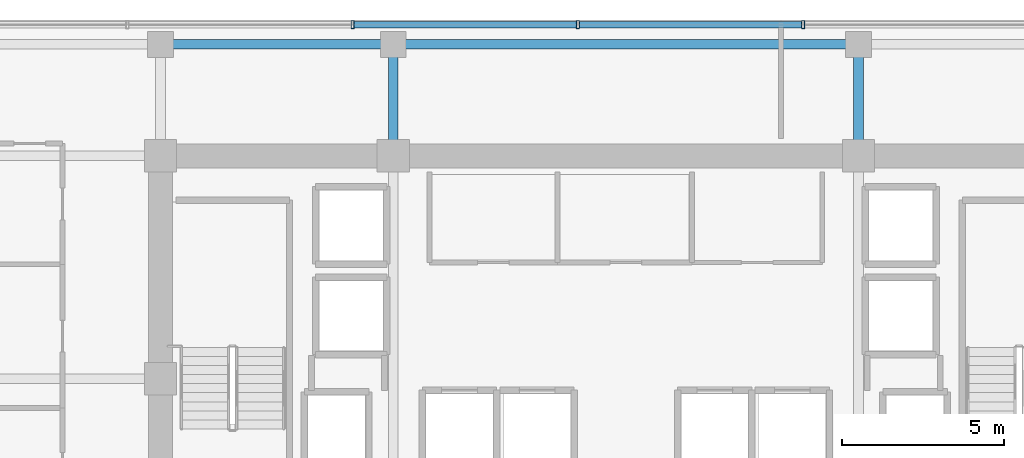
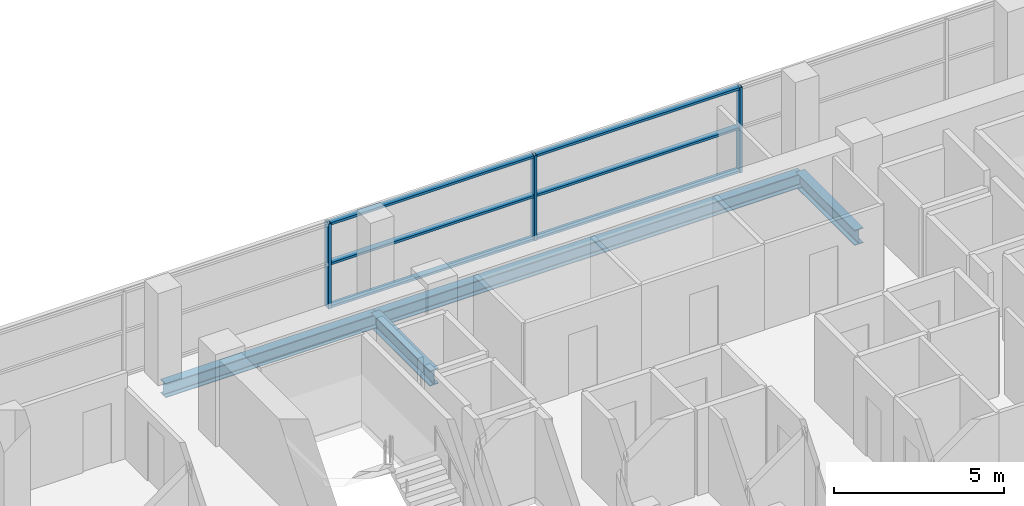
# One storey, part 13 of 24: 9 members, 4 beams, 1 element without a shape of its own.
"""IFC4 building model written with IfcOpenShell, lengths in metres."""

import ifcopenshell
import ifcopenshell.guid

model = None  # the IFC model being written
_history = None  # IfcOwnerHistory: only IFC2X3 demands one
_inside = {}  # id of a spatial element -> (the spatial element, [elements in it])
_under = {}  # id of a project, library or spatial element -> (it, [spatial elements below it])
_declared = {}  # id of a project -> (the project, [libraries it declares])
_typed = {}  # id of a type object -> (the type object, [elements of that type])
_made_of = {}  # id of a material, layer set ... -> (it, [elements and type objects made of it])


def new_model(schema):
    """Start an empty IFC model of exactly this schema.

    Asked for "IFC4X3", IfcOpenShell would pick the latest addendum, in which some entities
    have other attributes; the version numbers below select the first issue.
    IFC2X3 requires an IfcOwnerHistory on every rooted entity: one is made here for all.
    """
    global model, _history
    if schema == "IFC4X3":
        model = ifcopenshell.file(schema_version=(4, 3, 0, 0))
    else:
        model = ifcopenshell.file(schema=schema)
    _inside.clear()
    _under.clear()
    _declared.clear()
    _typed.clear()
    _made_of.clear()
    _history = None
    if model.schema == "IFC2X3":
        org = make("IfcOrganization", Name="unknown")
        user = make(
            "IfcPersonAndOrganization",
            ThePerson=make("IfcPerson", FamilyName="unknown"),
            TheOrganization=org,
        )
        app = make(
            "IfcApplication",
            ApplicationDeveloper=org,
            Version="unknown",
            ApplicationFullName="unknown",
            ApplicationIdentifier="unknown",
        )
        _history = make(
            "IfcOwnerHistory",
            OwningUser=user,
            OwningApplication=app,
            ChangeAction="ADDED",
            CreationDate=0,
        )
    return model


def make(cls, **values):
    """One entity of the class cls with the attributes given. An attribute that is None is left unset."""
    return model.create_entity(
        cls, **{name: value for name, value in values.items() if value is not None}
    )


def rooted(cls, **values):
    """An entity with a GlobalId (a new one), such as an element, a storey or a relation."""
    return make(cls, GlobalId=ifcopenshell.guid.new(), OwnerHistory=_history, **values)


def si_unit(unit_type, name, prefix=None):
    """IfcSIUnit, for example si_unit("LENGTHUNIT", "METRE", prefix="MILLI")."""
    return make("IfcSIUnit", UnitType=unit_type, Prefix=prefix, Name=name)


def assignment(units):
    """IfcUnitAssignment: the units of a project."""
    return None if units is None else make("IfcUnitAssignment", Units=units)


def point(xyz):
    """IfcCartesianPoint."""
    return None if xyz is None else make("IfcCartesianPoint", Coordinates=xyz)


def direction(xyz):
    """IfcDirection."""
    return None if xyz is None else make("IfcDirection", DirectionRatios=xyz)


def frame(location, z_axis=None, x_axis=None):
    """IfcAxis2Placement3D, a coordinate frame: its origin and axes. An axis left out is left unset."""
    return make(
        "IfcAxis2Placement3D",
        Location=point(location),
        Axis=direction(z_axis),
        RefDirection=direction(x_axis),
    )


def frame_2d(location, x_axis=None):
    """IfcAxis2Placement2D, a coordinate frame in the plane: its origin and x axis."""
    return make(
        "IfcAxis2Placement2D", Location=point(location), RefDirection=direction(x_axis)
    )


def origin():
    """The frame at (0, 0, 0) with its axes left unset."""
    return frame((0.0, 0.0, 0.0))


def origin_2d():
    """The frame at (0, 0) in the plane with its x axis left unset."""
    return frame_2d((0.0, 0.0))


def place(relative_to, where):
    """IfcLocalPlacement: puts the frame where relative to a parent placement (None: the world)."""
    return make(
        "IfcLocalPlacement", PlacementRelTo=relative_to, RelativePlacement=where
    )


def context(
    kind, dimensions, precision=None, world=None, true_north=None, identifier=None
):
    """IfcGeometricRepresentationContext, for example the 3D "Model" context."""
    return make(
        "IfcGeometricRepresentationContext",
        ContextIdentifier=identifier,
        ContextType=kind,
        CoordinateSpaceDimension=dimensions,
        Precision=precision,
        WorldCoordinateSystem=world,
        TrueNorth=true_north,
    )


def subcontext(parent, identifier, kind, view, scale=None):
    """IfcGeometricRepresentationSubContext, for example "Body" below "Model"."""
    return make(
        "IfcGeometricRepresentationSubContext",
        ContextIdentifier=identifier,
        ContextType=kind,
        ParentContext=parent,
        TargetScale=scale,
        TargetView=view,
    )


def project(units=None, contexts=None):
    """IfcProject with its units and contexts."""
    return rooted(
        "IfcProject",
        Name="project",
        RepresentationContexts=contexts,
        UnitsInContext=assignment(units),
    )


def spatial(cls, under=None, at=None, **own):
    """A site, building, storey or space (cls), placed at a placement, below another one or the project."""
    s = rooted(cls, ObjectPlacement=at, **own)
    if under is not None:
        _under.setdefault(under.id(), (under, []))[1].append(s)
    return s


def profile(cls, at=None, kind="AREA", **sizes):
    """A parametric profile (cls). Its sizes go by their IFC names, for example OverallWidth=200.0."""
    return make(cls, ProfileType=kind, Position=at, **sizes)


def hollow_rectangle(**sizes):
    """IfcRectangleHollowProfileDef."""
    return profile("IfcRectangleHollowProfileDef", **sizes)


def i_section(**sizes):
    """IfcIShapeProfileDef."""
    return profile("IfcIShapeProfileDef", **sizes)


def extrude(swept, where, along, depth):
    """IfcExtrudedAreaSolid: the profile swept, set in the frame where, extruded along a direction by depth."""
    return make(
        "IfcExtrudedAreaSolid",
        SweptArea=swept,
        Position=where,
        ExtrudedDirection=direction(along),
        Depth=depth,
    )


def shape(context_of_items, identifier, shape_type, items):
    """IfcShapeRepresentation: the items that make up one representation, for example the "Body"."""
    return make(
        "IfcShapeRepresentation",
        ContextOfItems=context_of_items,
        RepresentationIdentifier=identifier,
        RepresentationType=shape_type,
        Items=items,
    )


def source(mapping_origin, context_of_items, identifier, shape_type, items):
    """IfcRepresentationMap: a shape defined once, which mapped items show again and again."""
    return make(
        "IfcRepresentationMap",
        MappingOrigin=mapping_origin,
        MappedRepresentation=shape(context_of_items, identifier, shape_type, items),
    )


def transform(
    local_origin,
    x_axis=None,
    y_axis=None,
    z_axis=None,
    scale=None,
    scale2=None,
    scale3=None,
    uniform=True,
):
    """IfcCartesianTransformationOperator3D, or its non-uniform kind. x_axis, y_axis, z_axis: its Axis1, 2, 3."""
    if uniform:
        return make(
            "IfcCartesianTransformationOperator3D",
            Axis1=direction(x_axis),
            Axis2=direction(y_axis),
            LocalOrigin=point(local_origin),
            Scale=scale,
            Axis3=direction(z_axis),
        )
    return make(
        "IfcCartesianTransformationOperator3DnonUniform",
        Axis1=direction(x_axis),
        Axis2=direction(y_axis),
        LocalOrigin=point(local_origin),
        Scale=scale,
        Axis3=direction(z_axis),
        Scale2=scale2,
        Scale3=scale3,
    )


def mapped(mapping_source, mapping_target):
    """IfcMappedItem: shows the shape of a source again, moved by a transform."""
    return make(
        "IfcMappedItem", MappingSource=mapping_source, MappingTarget=mapping_target
    )


def material(Name=None, Category=None):
    """IfcMaterial."""
    return make("IfcMaterial", Name=Name, Category=Category)


def layer(
    of_material, thickness, ventilated=None, Name=None, Category=None, Priority=None
):
    """IfcMaterialLayer: one layer of a wall or slab, of a material (None: an air gap)."""
    return make(
        "IfcMaterialLayer",
        Material=of_material,
        LayerThickness=thickness,
        IsVentilated=ventilated,
        Name=Name,
        Category=Category,
        Priority=Priority,
    )


def layer_set(layers, Name=None):
    """IfcMaterialLayerSet."""
    return make("IfcMaterialLayerSet", MaterialLayers=layers, LayerSetName=Name)


def material_profile(
    of_material, cross_section, Name=None, Category=None, Priority=None
):
    """IfcMaterialProfile: a cross section and its material."""
    return make(
        "IfcMaterialProfile",
        Name=Name,
        Material=of_material,
        Profile=cross_section,
        Priority=Priority,
        Category=Category,
    )


def profile_set(profiles, Name=None, composite=None):
    """IfcMaterialProfileSet."""
    return make(
        "IfcMaterialProfileSet",
        Name=Name,
        MaterialProfiles=profiles,
        CompositeProfile=composite,
    )


def made_of(thing, what):
    """Note that an element or type object is made of a material, layer set ...; save() writes the relation."""
    if what is not None:
        _made_of.setdefault(what.id(), (what, []))[1].append(thing)
    return thing


def type_object(cls, material=None, **own):
    """A type object (cls), such as IfcWallType, which elements share."""
    return made_of(rooted(cls, **own), material)


def element(
    cls,
    number,
    at=None,
    inside=None,
    cuts=None,
    type_object=None,
    material=None,
    context=None,
    identifier="Body",
    shape_type=None,
    held_by="IfcProductDefinitionShape",
    body=None,
    shapes=None,
    **own,
):
    """One element of the class cls, such as IfcWall. Its Tag is "e" and its number.

    at: its placement. inside: the storey or other place that contains it. cuts: it is an
    opening in that element (IfcRelVoidsElement). A single representation is given by context,
    identifier, shape_type and body (its items); several are given by shapes. held_by: the class
    of the entity that holds the representations. save() writes the other relations.
    """
    e = rooted(cls, Tag="e%d" % number, ObjectPlacement=at, **own)
    if body is not None:
        shapes = [shape(context, identifier, shape_type, body)]
    if shapes is not None:
        e.Representation = make(held_by, Representations=shapes)
    if inside is not None:
        _inside.setdefault(inside.id(), (inside, []))[1].append(e)
    if cuts is not None:
        rooted(
            "IfcRelVoidsElement", RelatingBuildingElement=cuts, RelatedOpeningElement=e
        )
    if type_object is not None:
        _typed.setdefault(type_object.id(), (type_object, []))[1].append(e)
    return made_of(e, material)


def aggregate(whole, parts):
    """IfcRelAggregates: a whole, such as a stair, and the parts it consists of."""
    return rooted("IfcRelAggregates", RelatingObject=whole, RelatedObjects=parts)


def save(model, path):
    """Write the relations noted so far, then the file.

    IfcRelAggregates (storeys below a building ...), IfcRelContainedInSpatialStructure (elements
    in a storey), IfcRelDefinesByType, IfcRelAssociatesMaterial and IfcRelDeclares: one each for
    every whole, place, type object, material and project.
    """
    for whole, parts in _under.values():
        aggregate(whole, parts)
    for where, things in _inside.values():
        rooted(
            "IfcRelContainedInSpatialStructure",
            RelatedElements=things,
            RelatingStructure=where,
        )
    for kind, things in _typed.values():
        rooted("IfcRelDefinesByType", RelatedObjects=things, RelatingType=kind)
    for what, things in _made_of.values():
        rooted("IfcRelAssociatesMaterial", RelatedObjects=things, RelatingMaterial=what)
    for by, libraries in _declared.values():
        rooted("IfcRelDeclares", RelatingContext=by, RelatedDefinitions=libraries)
    model.write(path)


model = new_model("IFC4")

# Units and contexts
model_context = context("Model", 3, precision=1e-05, world=origin(), true_north=direction((0.0, 1.0)))
body_context = subcontext(model_context, "Body", "Model", "MODEL_VIEW")
ifc_project = project(units=[si_unit("LENGTHUNIT", "METRE"), si_unit("AREAUNIT", "SQUARE_METRE"), si_unit("VOLUMEUNIT", "CUBIC_METRE"), si_unit("PLANEANGLEUNIT", "RADIAN"), si_unit("MASSUNIT", "GRAM", prefix="KILO")], contexts=[model_context])

# Site, building, storey
site_placement = place(None, origin())
site = spatial("IfcSite", under=ifc_project, at=site_placement, CompositionType="ELEMENT")
building_placement = place(site_placement, origin())
building = spatial("IfcBuilding", under=site, at=building_placement, Name="Zarnakvel Exchange Tower", CompositionType="ELEMENT")
storey_placement = place(building_placement, frame((0.0, 0.0, 119.800048828125)))
storey = spatial("IfcBuildingStorey", under=building, at=storey_placement, Name="L33", CompositionType="ELEMENT", Elevation=119.800048828125)

# Beams
ifc_material_1 = material(Name="Steel S355", Category="steel")
ifc_material_profile_1 = material_profile(ifc_material_1, i_section(OverallWidth=0.300048828125, OverallDepth=0.550048828125, WebThickness=0.014892578125, FlangeThickness=0.029052734375, FilletRadius=0.027099609375, at=origin_2d()))
ifc_profile_set_1 = profile_set([ifc_material_profile_1], Name="Steel S355")
beam_type_1 = type_object("IfcBeamType", Name="G-05", PredefinedType="BEAM", material=ifc_profile_set_1)
for number, where, z_axis, x_axis, name in (
    (1, (-7.199951171875, 13.5, -0.5), (0.0, 1.0, 0.0), (-1.0, 0.0, 0.0), "L33 Tower N-S Frame Beam"),
    (2, (7.199951171875, 13.5, -0.5), (0.0, 1.0, 0.0), (-1.0, 0.0, 0.0), "L33 Tower N-S Frame Beam"),
):
    element("IfcBeam", number, at=place(storey_placement, frame(where, z_axis=z_axis, x_axis=x_axis)), inside=storey, type_object=beam_type_1, Name=name, PredefinedType="BEAM", context=body_context, shape_type="SweptSolid", body=[
        extrude(i_section(OverallWidth=0.300048828125, OverallDepth=0.550048828125, WebThickness=0.014892578125, FlangeThickness=0.029052734375, FilletRadius=0.027099609375, at=origin_2d()), origin(), (0.0, 0.0, 1.0), 3.449951171875),
    ])
ifc_material_profile_2 = material_profile(ifc_material_1, i_section(OverallWidth=0.300048828125, OverallDepth=0.5, WebThickness=0.014404296875, FlangeThickness=0.028076171875, FilletRadius=0.027099609375, at=origin_2d()))
ifc_profile_set_2 = profile_set([ifc_material_profile_2], Name="Steel S355")
beam_type_2 = type_object("IfcBeamType", Name="SP-02", PredefinedType="SPANDREL", material=ifc_profile_set_2)
beam_1_placement = place(storey_placement, frame((-14.39990234375, 16.949951171875, -0.47509765625), z_axis=(1.0, 0.0, 0.0), x_axis=(0.0, 1.0, 0.0)))
element("IfcBeam", 3, at=beam_1_placement, inside=storey, type_object=beam_type_2, Name="L33 Tower E-W Frame Beam", PredefinedType="SPANDREL", context=body_context, shape_type="SweptSolid", body=[
    extrude(i_section(OverallWidth=0.300048828125, OverallDepth=0.5, WebThickness=0.014404296875, FlangeThickness=0.028076171875, FilletRadius=0.027099609375, at=origin_2d()), origin(), (0.0, 0.0, 1.0), 7.199951171875),
])
beam_2_placement = place(storey_placement, frame((-7.199951171875, 16.949951171875, -0.47509765625), z_axis=(1.0, 0.0, 0.0), x_axis=(0.0, 1.0, 0.0)))
element("IfcBeam", 4, at=beam_2_placement, inside=storey, type_object=beam_type_2, Name="L33 Tower E-W Frame Beam", PredefinedType="SPANDREL", context=body_context, shape_type="SweptSolid", body=[
    extrude(i_section(OverallWidth=0.300048828125, OverallDepth=0.5, WebThickness=0.014404296875, FlangeThickness=0.028076171875, FilletRadius=0.027099609375, at=origin_2d()), origin(), (0.0, 0.0, 1.0), 14.39990234375),
])

# Curtain wall, members
ifc_material_2 = material(Name="Architectural Bronze Anodised Aluminium", Category="aluminium")
ifc_layer = layer(ifc_material_2, 0.239990234375)
ifc_layer_set = layer_set([ifc_layer], Name="Architectural Bronze Anodised Aluminium")
curtain_wall_type = type_object("IfcCurtainWallType", Name="CW-02", PredefinedType="NOTDEFINED", material=ifc_layer_set)
curtain_wall_placement = place(storey_placement, origin())
curtain_wall = element("IfcCurtainWall", 5, at=curtain_wall_placement, inside=storey, type_object=curtain_wall_type, Name="L33 Curtain Wall CW-L33-N1 (CW-02)", PredefinedType="NOTDEFINED")
ifc_material_profile_3 = material_profile(ifc_material_2, hollow_rectangle(XDim=0.239990234375, YDim=0.090087890625, WallThickness=0.006103515625, at=origin_2d()))
ifc_profile_set_3 = profile_set([ifc_material_profile_3], Name="Architectural Bronze Anodised Aluminium")
member_type_1 = type_object("IfcMemberType", Name="CWM-02", PredefinedType="MULLION", material=ifc_profile_set_3)
shared_shape_1 = source(origin(), body_context, "Body", "SweptSolid", [
    extrude(hollow_rectangle(XDim=0.239990234375, YDim=0.090087890625, WallThickness=0.006103515625, at=origin_2d()), origin(), (0.0, 0.0, 1.0), 3.054931640625),
])
member_1_placement = place(storey_placement, frame((-8.45703125, 17.56005859375, 0.0), z_axis=(0.0, 0.0, 1.0), x_axis=(0.0, 1.0, 0.0)))
member_1 = element("IfcMember", 6, at=member_1_placement, type_object=member_type_1, Name="CW-02 mullion 3", PredefinedType="MULLION", context=body_context, shape_type="MappedRepresentation", body=[
    mapped(shared_shape_1, transform((0.0, 0.0, 0.0), x_axis=(1.0, 0.0, 0.0), y_axis=(0.0, 1.0, 0.0), z_axis=(0.0, 0.0, 1.0), scale=1.0)),
])
member_2_placement = place(storey_placement, frame((-1.485595703125, 17.56005859375, 0.0), z_axis=(0.0, 0.0, 1.0), x_axis=(0.0, 1.0, 0.0)))
member_2 = element("IfcMember", 7, at=member_2_placement, type_object=member_type_1, Name="CW-02 mullion 4", PredefinedType="MULLION", context=body_context, shape_type="MappedRepresentation", body=[
    mapped(shared_shape_1, transform((0.0, 0.0, 0.0), x_axis=(1.0, 0.0, 0.0), y_axis=(0.0, 1.0, 0.0), z_axis=(0.0, 0.0, 1.0), scale=1.0)),
])
member_3_placement = place(storey_placement, frame((5.485595703125, 17.56005859375, 0.0), z_axis=(0.0, 0.0, 1.0), x_axis=(0.0, 1.0, 0.0)))
member_3 = element("IfcMember", 8, at=member_3_placement, type_object=member_type_1, Name="CW-02 mullion 5", PredefinedType="MULLION", context=body_context, shape_type="MappedRepresentation", body=[
    mapped(shared_shape_1, transform((0.0, 0.0, 0.0), x_axis=(1.0, 0.0, 0.0), y_axis=(0.0, 1.0, 0.0), z_axis=(0.0, 0.0, 1.0), scale=1.0)),
])
ifc_material_profile_4 = material_profile(ifc_material_2, hollow_rectangle(XDim=0.199951171875, YDim=0.0849609375, WallThickness=0.0048828125, at=origin_2d()))
ifc_profile_set_4 = profile_set([ifc_material_profile_4], Name="Architectural Bronze Anodised Aluminium")
member_type_2 = type_object("IfcMemberType", Name="CWT-02", PredefinedType="USERDEFINED", material=ifc_profile_set_4)
shared_shape_2 = source(origin(), body_context, "Body", "SweptSolid", [
    extrude(hollow_rectangle(XDim=0.199951171875, YDim=0.0849609375, WallThickness=0.0048828125, at=origin_2d()), origin(), (0.0, 0.0, 1.0), 6.88134765625),
])
member_4_placement = place(storey_placement, frame((-8.412109375, 17.56005859375, 0.04248046875), z_axis=(1.0, 0.0, 0.0), x_axis=(0.0, 1.0, 0.0)))
member_4 = element("IfcMember", 9, at=member_4_placement, type_object=member_type_2, Name="CW-02 transom 3.1", ObjectType="TRANSOM", PredefinedType="USERDEFINED", context=body_context, shape_type="MappedRepresentation", body=[
    mapped(shared_shape_2, transform((0.0, 0.0, 0.0), x_axis=(1.0, 0.0, 0.0), y_axis=(0.0, 1.0, 0.0), z_axis=(0.0, 0.0, 1.0), scale=1.0)),
])
member_5_placement = place(storey_placement, frame((-8.412109375, 17.56005859375, 1.588623046875), z_axis=(1.0, 0.0, 0.0), x_axis=(0.0, 1.0, 0.0)))
member_5 = element("IfcMember", 10, at=member_5_placement, type_object=member_type_2, Name="CW-02 transom 3.2", ObjectType="TRANSOM", PredefinedType="USERDEFINED", context=body_context, shape_type="MappedRepresentation", body=[
    mapped(shared_shape_2, transform((0.0, 0.0, 0.0), x_axis=(1.0, 0.0, 0.0), y_axis=(0.0, 1.0, 0.0), z_axis=(0.0, 0.0, 1.0), scale=1.0)),
])
member_6_placement = place(storey_placement, frame((-8.412109375, 17.56005859375, 3.012451171875), z_axis=(1.0, 0.0, 0.0), x_axis=(0.0, 1.0, 0.0)))
member_6 = element("IfcMember", 11, at=member_6_placement, type_object=member_type_2, Name="CW-02 transom 3.3", ObjectType="TRANSOM", PredefinedType="USERDEFINED", context=body_context, shape_type="MappedRepresentation", body=[
    mapped(shared_shape_2, transform((0.0, 0.0, 0.0), x_axis=(1.0, 0.0, 0.0), y_axis=(0.0, 1.0, 0.0), z_axis=(0.0, 0.0, 1.0), scale=1.0)),
])
member_7_placement = place(storey_placement, frame((-1.440673828125, 17.56005859375, 0.04248046875), z_axis=(1.0, 0.0, 0.0), x_axis=(0.0, 1.0, 0.0)))
member_7 = element("IfcMember", 12, at=member_7_placement, type_object=member_type_2, Name="CW-02 transom 4.1", ObjectType="TRANSOM", PredefinedType="USERDEFINED", context=body_context, shape_type="MappedRepresentation", body=[
    mapped(shared_shape_2, transform((0.0, 0.0, 0.0), x_axis=(1.0, 0.0, 0.0), y_axis=(0.0, 1.0, 0.0), z_axis=(0.0, 0.0, 1.0), scale=1.0)),
])
member_8_placement = place(storey_placement, frame((-1.440673828125, 17.56005859375, 1.588623046875), z_axis=(1.0, 0.0, 0.0), x_axis=(0.0, 1.0, 0.0)))
member_8 = element("IfcMember", 13, at=member_8_placement, type_object=member_type_2, Name="CW-02 transom 4.2", ObjectType="TRANSOM", PredefinedType="USERDEFINED", context=body_context, shape_type="MappedRepresentation", body=[
    mapped(shared_shape_2, transform((0.0, 0.0, 0.0), x_axis=(1.0, 0.0, 0.0), y_axis=(0.0, 1.0, 0.0), z_axis=(0.0, 0.0, 1.0), scale=1.0)),
])
member_9_placement = place(storey_placement, frame((-1.440673828125, 17.56005859375, 3.012451171875), z_axis=(1.0, 0.0, 0.0), x_axis=(0.0, 1.0, 0.0)))
member_9 = element("IfcMember", 14, at=member_9_placement, type_object=member_type_2, Name="CW-02 transom 4.3", ObjectType="TRANSOM", PredefinedType="USERDEFINED", context=body_context, shape_type="MappedRepresentation", body=[
    mapped(shared_shape_2, transform((0.0, 0.0, 0.0), x_axis=(1.0, 0.0, 0.0), y_axis=(0.0, 1.0, 0.0), z_axis=(0.0, 0.0, 1.0), scale=1.0)),
])
aggregate(curtain_wall, [member_1, member_2, member_3, member_4, member_5, member_6, member_7, member_8, member_9])

save(model, "model.ifc")
